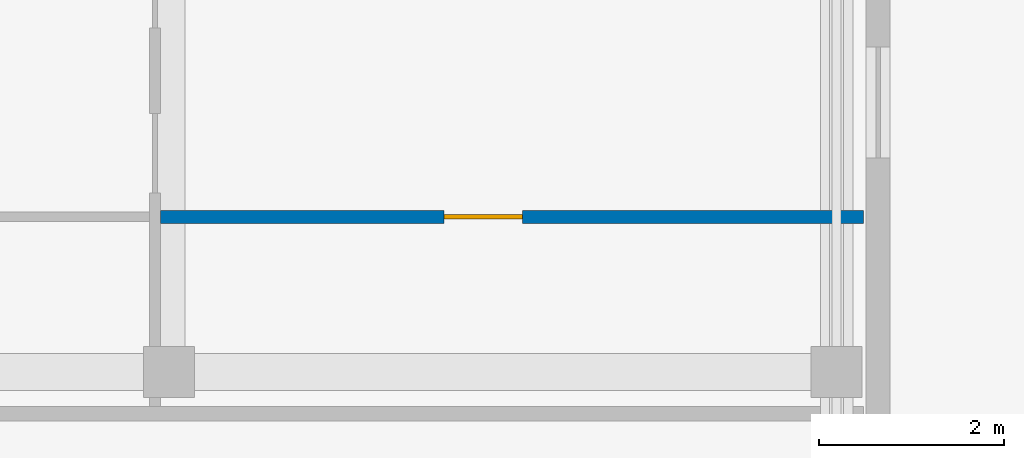
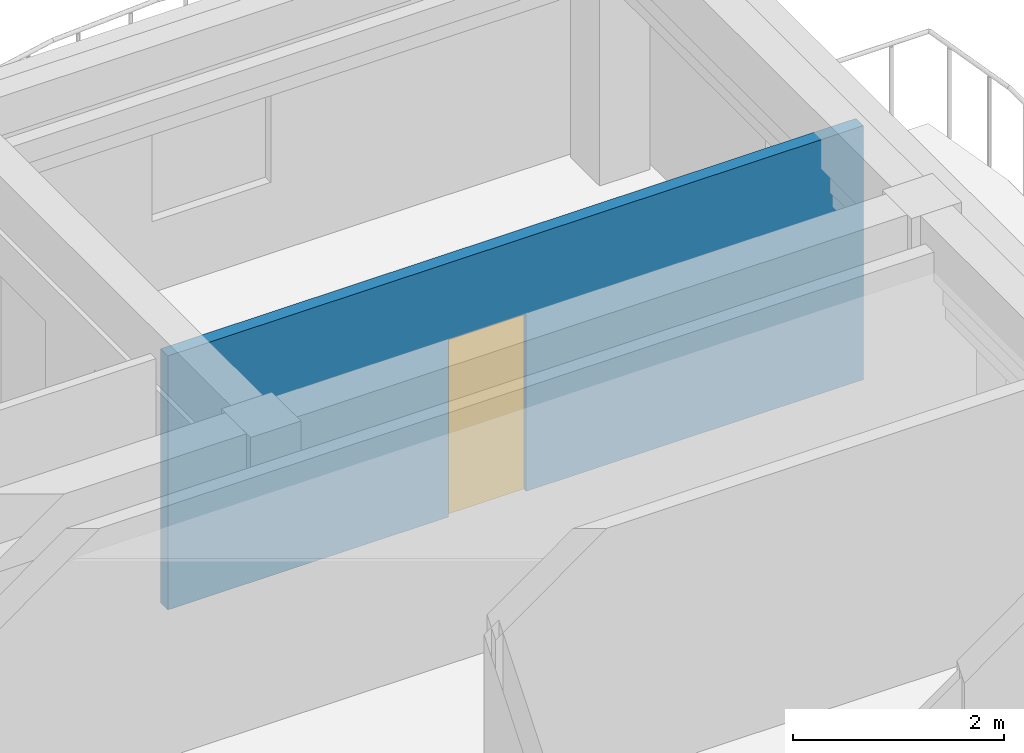
# One storey, part 45 of 68: 1 door, 1 wall, 1 opening.
"""IFC4 building model written with IfcOpenShell, lengths in metres."""

from ifc_helpers import new_model, si_unit, direction, frame, frame_2d, origin, place, context, subcontext, project, spatial, rectangle, extrude, material, layer, layer_set, type_object, element, fill, save


model = new_model("IFC4")

# Units and contexts
model_context = context("Model", 3, precision=1e-05, world=origin(), true_north=direction((0.0, 1.0)))
body_context = subcontext(model_context, "Body", "Model", "MODEL_VIEW")
ifc_project = project(units=[si_unit("LENGTHUNIT", "METRE"), si_unit("AREAUNIT", "SQUARE_METRE"), si_unit("VOLUMEUNIT", "CUBIC_METRE"), si_unit("PLANEANGLEUNIT", "RADIAN"), si_unit("MASSUNIT", "GRAM", prefix="KILO")], contexts=[model_context])

# Site, building, storey
site_placement = place(None, origin())
site = spatial("IfcSite", under=ifc_project, at=site_placement, CompositionType="ELEMENT")
building_placement = place(site_placement, origin())
building = spatial("IfcBuilding", under=site, at=building_placement, Name="Keldmere Railside Commons", CompositionType="ELEMENT")
storey_placement = place(building_placement, frame((0.0, 0.0, 23.360107421875)))
storey = spatial("IfcBuildingStorey", under=building, at=storey_placement, Name="L07", CompositionType="ELEMENT", Elevation=23.360107421875)

# Wall, opening, door
ifc_material_1 = material(Name="Acoustic Gypsum Board Partition", Category="gypsum")
ifc_layer = layer(ifc_material_1, 0.139892578125, Name="Wet-Room Sanitary Partition 140")
ifc_layer_set = layer_set([ifc_layer], Name="Acoustic Gypsum Board Partition")
wall_type = type_object("IfcWallType", Name="Wet-Room Sanitary Partition 140", PredefinedType="PARTITIONING", material=ifc_layer_set)
wall_placement = place(storey_placement, frame((176.239990234375, 111.330078125, 0.0), z_axis=(0.0, 0.0, 1.0), x_axis=(1.0, 0.0, 0.0)))
wall = element("IfcWall", 1, at=wall_placement, inside=storey, type_object=wall_type, Name="IW-5 IW-L07-1709", PredefinedType="PARTITIONING", context=body_context, shape_type="SweptSolid", body=[
    extrude(rectangle(XDim=7.60009765625, YDim=0.139892578125, at=frame_2d((3.800048828125, 0.0))), origin(), (0.0, 0.0, 1.0), 2.934814453125),
])
opening_placement = place(wall_placement, frame((3.06396484375, 0.0, 0.0)))
opening = element("IfcOpeningElement", 2, at=opening_placement, cuts=wall, Name="Opening ID-06", PredefinedType="OPENING", context=body_context, shape_type="SweptSolid", body=[
    extrude(rectangle(XDim=0.85009765625, YDim=2.050048828125, at=frame_2d((0.425048828125, 1.02490234375))), frame((0.0, 0.079833984375, 0.0), z_axis=(0.0, -1.0, 0.0), x_axis=(1.0, 0.0, 0.0)), (0.0, 0.0, 1.0), 0.159912109375),
])
ifc_material_2 = material(Name="Engineered Oak Timber", Category="wood")
door_type = type_object("IfcDoorType", Name="Storage Closet Door 850x2050", OperationType="NOTDEFINED", PredefinedType="DOOR", material=ifc_material_2)
door_placement = place(opening_placement, origin())
door = element("IfcDoor", 3, at=door_placement, inside=storey, type_object=door_type, Name="ID-06 IDR-L07-1557", OperationType="SINGLE_SWING_LEFT", OverallHeight=2.050048828125, OverallWidth=0.85009765625, PredefinedType="DOOR", context=body_context, shape_type="SweptSolid", body=[
    extrude(rectangle(XDim=0.85009765625, YDim=2.050048828125, at=frame_2d((0.425048828125, 1.02490234375))), frame((0.0, 0.02490234375, 0.0), z_axis=(0.0, -1.0, 0.0), x_axis=(1.0, 0.0, 0.0)), (0.0, 0.0, 1.0), 0.050048828125),
])
fill(opening, door)

save(model, "model.ifc")
